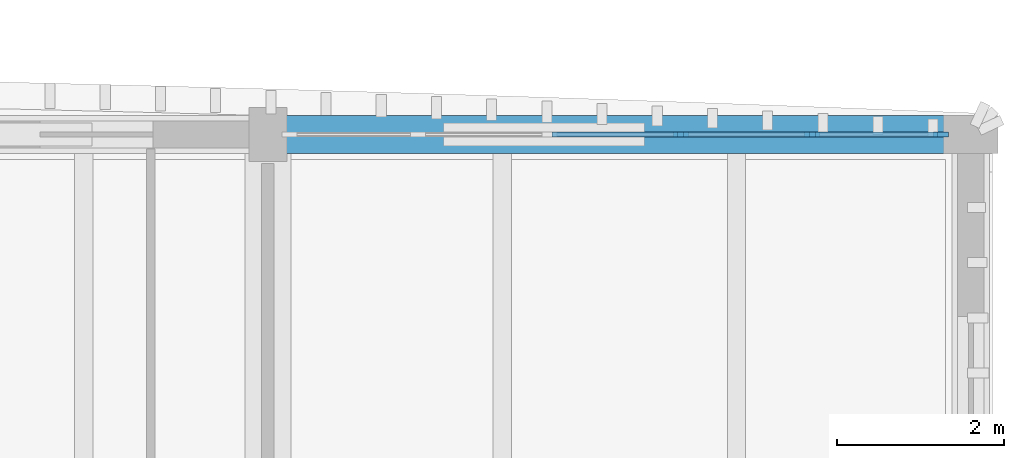
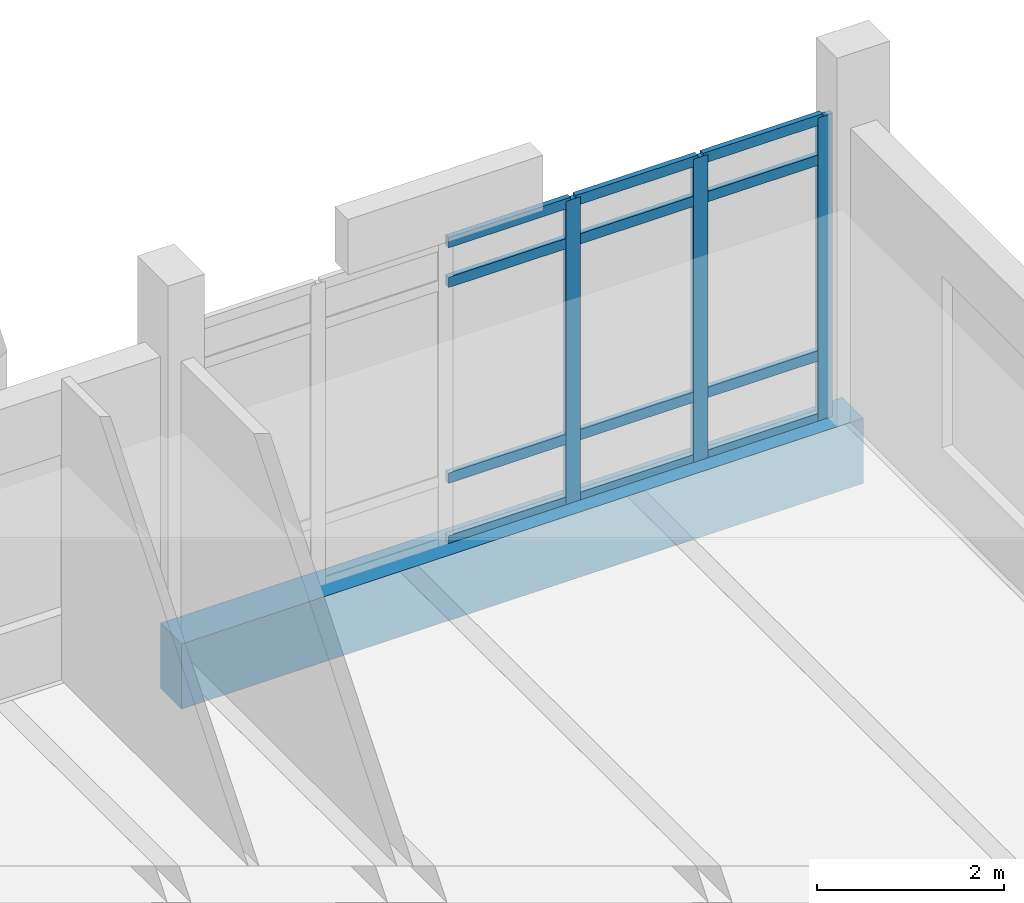
# One storey, part 13 of 37: 15 members, 1 beam, 1 element without a shape of its own.
"""IFC4 building model written with IfcOpenShell, lengths in metres."""

from ifc_helpers import new_model, si_unit, direction, frame, origin, origin_2d, place, context, subcontext, project, spatial, rectangle, extrude, material, material_profile, profile_set, type_object, element, aggregate, save


model = new_model("IFC4")

# Units and contexts
model_context = context("Model", 3, precision=1e-05, world=origin(), true_north=direction((0.0, 1.0)))
body_context = subcontext(model_context, "Body", "Model", "MODEL_VIEW")
ifc_project = project(units=[si_unit("LENGTHUNIT", "METRE"), si_unit("AREAUNIT", "SQUARE_METRE"), si_unit("VOLUMEUNIT", "CUBIC_METRE"), si_unit("PLANEANGLEUNIT", "RADIAN"), si_unit("MASSUNIT", "GRAM", prefix="KILO")], contexts=[model_context])

# Site, building, storey
site_placement = place(None, origin())
site = spatial("IfcSite", under=ifc_project, at=site_placement, CompositionType="ELEMENT")
building_placement = place(site_placement, origin())
building = spatial("IfcBuilding", under=site, at=building_placement, Name="Dornvale Research Institute", CompositionType="ELEMENT")
storey_placement = place(building_placement, frame((0.0, 0.0, 29.39990234375)))
storey = spatial("IfcBuildingStorey", under=building, at=storey_placement, Name="L06", CompositionType="ELEMENT", Elevation=29.39990234375)

# Curtain wall, members
ifc_material_1 = material(Name="Low-E Argon Double Insulating Glazing Unit", Category="glass")
curtain_wall_type = type_object("IfcCurtainWallType", Name="UnitisedCurtainWall_V4_7850x3950", PredefinedType="USERDEFINED", material=ifc_material_1)
curtain_wall_placement = place(storey_placement, origin())
curtain_wall = element("IfcCurtainWall", 1, at=curtain_wall_placement, inside=storey, type_object=curtain_wall_type, Name="L06 V4 unitised curtain wall CW-19 #120", ObjectType="UNITISED CURTAIN WALL", PredefinedType="USERDEFINED")
ifc_material_2 = material(Name="Anodized Aluminum AA 6063-T6 Thermally Broken Frame", Category="aluminium")
ifc_material_profile_1 = material_profile(ifc_material_2, rectangle(XDim=0.06494140625, YDim=0.179931640625, at=origin_2d()), Name="ALU MULLION 65x180")
ifc_profile_set_1 = profile_set([ifc_material_profile_1], Name="Anodized Aluminum AA 6063-T6 Thermally Broken Frame")
member_type_1 = type_object("IfcMemberType", Name="Mullion_CW_65x180", PredefinedType="MULLION", material=ifc_profile_set_1)
member_1_placement = place(storey_placement, frame((169.93505859375, 122.10009765625, 0.0), z_axis=(0.0, 0.0, 1.0), x_axis=(0.0, 1.0, 0.0)))
member_1 = element("IfcMember", 2, at=member_1_placement, type_object=member_type_1, Name="CW-19 mullion 4", PredefinedType="MULLION", context=body_context, shape_type="SweptSolid", body=[
    extrude(rectangle(XDim=0.06494140625, YDim=0.179931640625, at=origin_2d()), origin(), (0.0, 0.0, 1.0), 3.9501953125),
])
member_2_placement = place(storey_placement, frame((171.5048828125, 122.10009765625, 0.0), z_axis=(0.0, 0.0, 1.0), x_axis=(0.0, 1.0, 0.0)))
member_2 = element("IfcMember", 3, at=member_2_placement, type_object=member_type_1, Name="CW-19 mullion 5", PredefinedType="MULLION", context=body_context, shape_type="SweptSolid", body=[
    extrude(rectangle(XDim=0.06494140625, YDim=0.179931640625, at=origin_2d()), origin(), (0.0, 0.0, 1.0), 3.9501953125),
])
member_3_placement = place(storey_placement, frame((173.04248046875, 122.10009765625, 0.0), z_axis=(0.0, 0.0, 1.0), x_axis=(0.0, 1.0, 0.0)))
member_3 = element("IfcMember", 4, at=member_3_placement, type_object=member_type_1, Name="CW-19 mullion 6", PredefinedType="MULLION", context=body_context, shape_type="SweptSolid", body=[
    extrude(rectangle(XDim=0.06494140625, YDim=0.179931640625, at=origin_2d()), origin(), (0.0, 0.0, 1.0), 3.9501953125),
])

# Beam
ifc_material_3 = material(Name="Concrete f'c 45 MPa (C35/45)", Category="concrete")
ifc_material_profile_2 = material_profile(ifc_material_3, rectangle(XDim=0.449951171875, YDim=0.85009765625, at=origin_2d()), Name="RC 450x850")
ifc_profile_set_2 = profile_set([ifc_material_profile_2], Name="Concrete f'c 45 MPa (C35/45)")
beam_type = type_object("IfcBeamType", Name="Spandrel_RC450x850_Ext", PredefinedType="SPANDREL", material=ifc_profile_set_2)
beam_placement = place(storey_placement, frame((165.0, 122.10009765625, -0.4248046875), z_axis=(1.0, 0.0, 0.0), x_axis=(0.0, 1.0, 0.0)))
element("IfcBeam", 5, at=beam_placement, inside=storey, type_object=beam_type, Name="L06 perimeter spandrel #1529", PredefinedType="SPANDREL", context=body_context, shape_type="SweptSolid", body=[
    extrude(rectangle(XDim=0.449951171875, YDim=0.85009765625, at=origin_2d()), origin(), (0.0, 0.0, 1.0), 8.39990234375),
])

# Member
ifc_material_4 = material(Name="Anodized Aluminum AA 6063-T6 Thermally Broken Frame", Category="aluminium")
ifc_material_profile_3 = material_profile(ifc_material_4, rectangle(XDim=0.06494140625, YDim=0.135009765625, at=origin_2d()), Name="ALU TRANSOM 65x135")
ifc_profile_set_3 = profile_set([ifc_material_profile_3], Name="Anodized Aluminum AA 6063-T6 Thermally Broken Frame")
member_type_2 = type_object("IfcMemberType", Name="Transom_CW_65x135", PredefinedType="USERDEFINED", material=ifc_profile_set_3)
member_4_placement = place(storey_placement, frame((168.3974609375, 122.10009765625, 0.03271484375), z_axis=(1.0, 0.0, 0.0), x_axis=(0.0, 1.0, 0.0)))
member_4 = element("IfcMember", 6, at=member_4_placement, type_object=member_type_2, Name="CW-19 transom 3.1", ObjectType="TRANSOM", PredefinedType="USERDEFINED", context=body_context, shape_type="SweptSolid", body=[
    extrude(rectangle(XDim=0.06494140625, YDim=0.135009765625, at=origin_2d()), origin(), (0.0, 0.0, 1.0), 1.505126953125),
])

member_5_placement = place(storey_placement, frame((168.3974609375, 122.10009765625, 0.85009765625), z_axis=(1.0, 0.0, 0.0), x_axis=(0.0, 1.0, 0.0)))
member_5 = element("IfcMember", 7, at=member_5_placement, type_object=member_type_2, Name="CW-19 transom 3.2", ObjectType="TRANSOM", PredefinedType="USERDEFINED", context=body_context, shape_type="SweptSolid", body=[
    extrude(rectangle(XDim=0.06494140625, YDim=0.135009765625, at=origin_2d()), origin(), (0.0, 0.0, 1.0), 1.505126953125),
])

member_6_placement = place(storey_placement, frame((168.3974609375, 122.10009765625, 3.400146484375), z_axis=(1.0, 0.0, 0.0), x_axis=(0.0, 1.0, 0.0)))
member_6 = element("IfcMember", 8, at=member_6_placement, type_object=member_type_2, Name="CW-19 transom 3.3", ObjectType="TRANSOM", PredefinedType="USERDEFINED", context=body_context, shape_type="SweptSolid", body=[
    extrude(rectangle(XDim=0.06494140625, YDim=0.135009765625, at=origin_2d()), origin(), (0.0, 0.0, 1.0), 1.505126953125),
])

member_7_placement = place(storey_placement, frame((168.3974609375, 122.10009765625, 3.91748046875), z_axis=(1.0, 0.0, 0.0), x_axis=(0.0, 1.0, 0.0)))
member_7 = element("IfcMember", 9, at=member_7_placement, type_object=member_type_2, Name="CW-19 transom 3.4", ObjectType="TRANSOM", PredefinedType="USERDEFINED", context=body_context, shape_type="SweptSolid", body=[
    extrude(rectangle(XDim=0.06494140625, YDim=0.135009765625, at=origin_2d()), origin(), (0.0, 0.0, 1.0), 1.505126953125),
])

member_8_placement = place(storey_placement, frame((169.967529296875, 122.10009765625, 0.03271484375), z_axis=(1.0, 0.0, 0.0), x_axis=(0.0, 1.0, 0.0)))
member_8 = element("IfcMember", 10, at=member_8_placement, type_object=member_type_2, Name="CW-19 transom 4.1", ObjectType="TRANSOM", PredefinedType="USERDEFINED", context=body_context, shape_type="SweptSolid", body=[
    extrude(rectangle(XDim=0.06494140625, YDim=0.135009765625, at=origin_2d()), origin(), (0.0, 0.0, 1.0), 1.5048828125),
])

member_9_placement = place(storey_placement, frame((169.967529296875, 122.10009765625, 0.85009765625), z_axis=(1.0, 0.0, 0.0), x_axis=(0.0, 1.0, 0.0)))
member_9 = element("IfcMember", 11, at=member_9_placement, type_object=member_type_2, Name="CW-19 transom 4.2", ObjectType="TRANSOM", PredefinedType="USERDEFINED", context=body_context, shape_type="SweptSolid", body=[
    extrude(rectangle(XDim=0.06494140625, YDim=0.135009765625, at=origin_2d()), origin(), (0.0, 0.0, 1.0), 1.5048828125),
])

member_10_placement = place(storey_placement, frame((169.967529296875, 122.10009765625, 3.400146484375), z_axis=(1.0, 0.0, 0.0), x_axis=(0.0, 1.0, 0.0)))
member_10 = element("IfcMember", 12, at=member_10_placement, type_object=member_type_2, Name="CW-19 transom 4.3", ObjectType="TRANSOM", PredefinedType="USERDEFINED", context=body_context, shape_type="SweptSolid", body=[
    extrude(rectangle(XDim=0.06494140625, YDim=0.135009765625, at=origin_2d()), origin(), (0.0, 0.0, 1.0), 1.5048828125),
])

member_11_placement = place(storey_placement, frame((169.967529296875, 122.10009765625, 3.91748046875), z_axis=(1.0, 0.0, 0.0), x_axis=(0.0, 1.0, 0.0)))
member_11 = element("IfcMember", 13, at=member_11_placement, type_object=member_type_2, Name="CW-19 transom 4.4", ObjectType="TRANSOM", PredefinedType="USERDEFINED", context=body_context, shape_type="SweptSolid", body=[
    extrude(rectangle(XDim=0.06494140625, YDim=0.135009765625, at=origin_2d()), origin(), (0.0, 0.0, 1.0), 1.5048828125),
])

member_12_placement = place(storey_placement, frame((171.53759765625, 122.10009765625, 0.03271484375), z_axis=(1.0, 0.0, 0.0), x_axis=(0.0, 1.0, 0.0)))
member_12 = element("IfcMember", 14, at=member_12_placement, type_object=member_type_2, Name="CW-19 transom 5.1", ObjectType="TRANSOM", PredefinedType="USERDEFINED", context=body_context, shape_type="SweptSolid", body=[
    extrude(rectangle(XDim=0.06494140625, YDim=0.135009765625, at=origin_2d()), origin(), (0.0, 0.0, 1.0), 1.472412109375),
])

member_13_placement = place(storey_placement, frame((171.53759765625, 122.10009765625, 0.85009765625), z_axis=(1.0, 0.0, 0.0), x_axis=(0.0, 1.0, 0.0)))
member_13 = element("IfcMember", 15, at=member_13_placement, type_object=member_type_2, Name="CW-19 transom 5.2", ObjectType="TRANSOM", PredefinedType="USERDEFINED", context=body_context, shape_type="SweptSolid", body=[
    extrude(rectangle(XDim=0.06494140625, YDim=0.135009765625, at=origin_2d()), origin(), (0.0, 0.0, 1.0), 1.472412109375),
])

member_14_placement = place(storey_placement, frame((171.53759765625, 122.10009765625, 3.400146484375), z_axis=(1.0, 0.0, 0.0), x_axis=(0.0, 1.0, 0.0)))
member_14 = element("IfcMember", 16, at=member_14_placement, type_object=member_type_2, Name="CW-19 transom 5.3", ObjectType="TRANSOM", PredefinedType="USERDEFINED", context=body_context, shape_type="SweptSolid", body=[
    extrude(rectangle(XDim=0.06494140625, YDim=0.135009765625, at=origin_2d()), origin(), (0.0, 0.0, 1.0), 1.472412109375),
])

member_15_placement = place(storey_placement, frame((171.53759765625, 122.10009765625, 3.91748046875), z_axis=(1.0, 0.0, 0.0), x_axis=(0.0, 1.0, 0.0)))
member_15 = element("IfcMember", 17, at=member_15_placement, type_object=member_type_2, Name="CW-19 transom 5.4", ObjectType="TRANSOM", PredefinedType="USERDEFINED", context=body_context, shape_type="SweptSolid", body=[
    extrude(rectangle(XDim=0.06494140625, YDim=0.135009765625, at=origin_2d()), origin(), (0.0, 0.0, 1.0), 1.472412109375),
])

aggregate(curtain_wall, [member_1, member_2, member_3, member_4, member_5, member_6, member_7, member_8, member_9, member_10, member_11, member_12, member_13, member_14, member_15])

save(model, "model.ifc")
